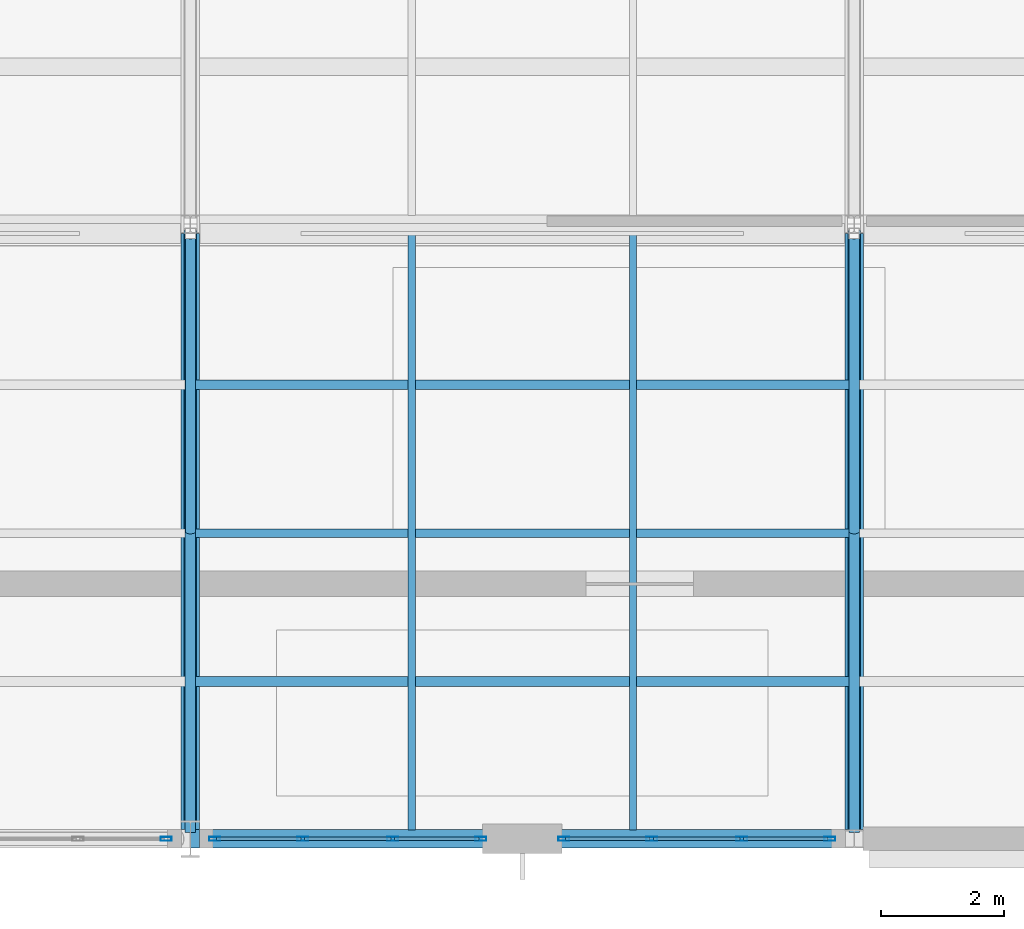
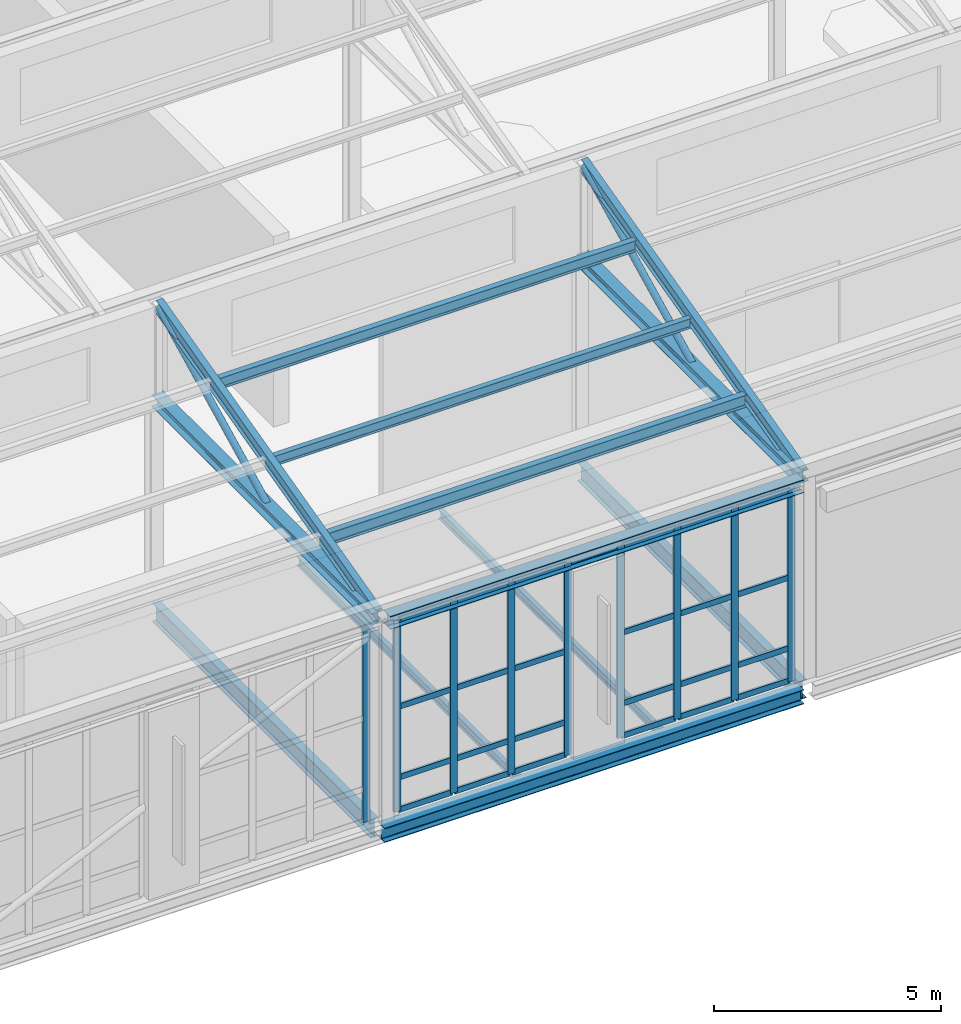
# One storey, part 15 of 49: 42 members, 6 beams, 3 elements without a shape of their own.
"""IFC4 building model written with IfcOpenShell, lengths in metres."""

from ifc_helpers import new_model, si_unit, direction, frame, origin, origin_2d, place, context, subcontext, project, spatial, hollow_rectangle, hollow_circle, i_section, extrude, material, layer, layer_set, material_profile, profile_set, type_object, element, aggregate, save


model = new_model("IFC4")

# Units and contexts
model_context = context("Model", 3, precision=1e-05, world=origin(), true_north=direction((0.0, 1.0)))
body_context = subcontext(model_context, "Body", "Model", "MODEL_VIEW")
ifc_project = project(units=[si_unit("LENGTHUNIT", "METRE"), si_unit("AREAUNIT", "SQUARE_METRE"), si_unit("VOLUMEUNIT", "CUBIC_METRE"), si_unit("PLANEANGLEUNIT", "RADIAN"), si_unit("MASSUNIT", "GRAM", prefix="KILO")], contexts=[model_context])

# Site, building, storey
site_placement = place(None, origin())
site = spatial("IfcSite", under=ifc_project, at=site_placement, CompositionType="ELEMENT")
building_placement = place(site_placement, origin())
building = spatial("IfcBuilding", under=site, at=building_placement, Name="Tasgan Crest Museum", CompositionType="ELEMENT")
storey_placement = place(building_placement, frame((0.0, 0.0, 28.800048828125)))
storey = spatial("IfcBuildingStorey", under=building, at=storey_placement, Name="L05", CompositionType="ELEMENT", Elevation=28.800048828125)

# Beams
ifc_material_1 = material(Name="Steel S355J2", Category="steel")
ifc_material_profile_1 = material_profile(ifc_material_1, i_section(OverallWidth=0.300048828125, OverallDepth=0.35009765625, WebThickness=0.009521484375, FlangeThickness=0.017578125, FilletRadius=0.027099609375, at=origin_2d()), Name="HEA 360")
ifc_profile_set_1 = profile_set([ifc_material_profile_1], Name="Steel S355J2")
beam_type_1 = type_object("IfcBeamType", Name="BM-G-HEA360", PredefinedType="BEAM", material=ifc_profile_set_1)
beam_1_placement = place(storey_placement, frame((32.550048828125, 82.0, 5.219970703125), z_axis=(1.0, 0.0, 0.0), x_axis=(0.0, 1.0, 0.0)))
element("IfcBeam", 1, at=beam_1_placement, inside=storey, type_object=beam_type_1, Name="Sawtooth valley girder B1 32.4-43.2", PredefinedType="BEAM", context=body_context, shape_type="SweptSolid", body=[
    extrude(i_section(OverallWidth=0.300048828125, OverallDepth=0.35009765625, WebThickness=0.009521484375, FlangeThickness=0.017578125, FilletRadius=0.027099609375, at=origin_2d()), origin(), (0.0, 0.0, 1.0), 10.5),
])
ifc_material_2 = material(Name="Steel S355J2", Category="steel")
ifc_material_profile_2 = material_profile(ifc_material_2, i_section(OverallWidth=0.300048828125, OverallDepth=0.389892578125, WebThickness=0.010986328125, FlangeThickness=0.01904296875, FilletRadius=0.027099609375, at=origin_2d()), Name="HEA 400")
ifc_profile_set_2 = profile_set([ifc_material_profile_2], Name="Steel S355J2")
beam_type_2 = type_object("IfcBeamType", Name="BM-G-HEA400", PredefinedType="BEAM", material=ifc_profile_set_2)
beam_2_placement = place(storey_placement, frame((32.40576171875, 82.0, -0.43505859375), z_axis=(1.0, 0.0, 0.0), x_axis=(0.0, 1.0, 0.0)))
element("IfcBeam", 2, at=beam_2_placement, inside=storey, type_object=beam_type_2, Name="Girder L05 J 32.4-43.2", PredefinedType="BEAM", context=body_context, shape_type="SweptSolid", body=[
    extrude(i_section(OverallWidth=0.300048828125, OverallDepth=0.389892578125, WebThickness=0.010986328125, FlangeThickness=0.01904296875, FilletRadius=0.027099609375, at=origin_2d()), origin(), (0.0, 0.0, 1.0), 10.648193359375),
])
ifc_material_3 = material(Name="Steel S355J2", Category="steel")
ifc_material_profile_3 = material_profile(ifc_material_3, i_section(OverallWidth=0.199951171875, OverallDepth=0.5, WebThickness=0.01025390625, FlangeThickness=0.01611328125, FilletRadius=0.02099609375, at=origin_2d()), Name="IPE 500")
ifc_profile_set_3 = profile_set([ifc_material_profile_3], Name="Steel S355J2")
beam_type_3 = type_object("IfcBeamType", Name="BM-G-IPE500", PredefinedType="BEAM", material=ifc_profile_set_3)
beam_3_placement = place(storey_placement, frame((32.39990234375, 82.294921875, -0.489990234375), z_axis=(0.0, 1.0, 0.0), x_axis=(-1.0, 0.0, 0.0)))
element("IfcBeam", 3, at=beam_3_placement, inside=storey, type_object=beam_type_3, Name="Beam L05 4 82.0-92.0", PredefinedType="BEAM", context=body_context, shape_type="SweptSolid", body=[
    extrude(i_section(OverallWidth=0.199951171875, OverallDepth=0.5, WebThickness=0.01025390625, FlangeThickness=0.01611328125, FilletRadius=0.02099609375, at=origin_2d()), origin(), (0.0, 0.0, 1.0), 9.60009765625),
])
beam_4_placement = place(storey_placement, frame((43.199951171875, 82.1650390625, -0.489990234375), z_axis=(0.0, 1.0, 0.0), x_axis=(-1.0, 0.0, 0.0)))
element("IfcBeam", 4, at=beam_4_placement, inside=storey, type_object=beam_type_3, Name="Beam L05 5 82.0-92.0", PredefinedType="BEAM", context=body_context, shape_type="SweptSolid", body=[
    extrude(i_section(OverallWidth=0.199951171875, OverallDepth=0.5, WebThickness=0.01025390625, FlangeThickness=0.01611328125, FilletRadius=0.02099609375, at=origin_2d()), origin(), (0.0, 0.0, 1.0), 9.72998046875),
])
ifc_material_4 = material(Name="Steel S355J2", Category="steel")
ifc_material_profile_4 = material_profile(ifc_material_4, i_section(OverallWidth=0.1201171875, OverallDepth=0.239990234375, WebThickness=0.006103515625, FlangeThickness=0.009765625, FilletRadius=0.014892578125, at=origin_2d()), Name="IPE 240")
ifc_profile_set_4 = profile_set([ifc_material_profile_4], Name="Steel S355J2")
beam_type_4 = type_object("IfcBeamType", Name="BM-J-IPE240", PredefinedType="JOIST", material=ifc_profile_set_4)
for number, where, z_axis, x_axis, name in (
    (5, (36.0, 82.14501953125, -0.360107421875), (0.0, 1.0, 0.0), (-1.0, 0.0, 0.0), "Secondary joist L05 X=36.0 Y=82.0-92.0"),
    (6, (39.60009765625, 82.14501953125, -0.360107421875), (0.0, 1.0, 0.0), (-1.0, 0.0, 0.0), "Secondary joist L05 X=39.6 Y=82.0-92.0"),
):
    element("IfcBeam", number, at=place(storey_placement, frame(where, z_axis=z_axis, x_axis=x_axis)), inside=storey, type_object=beam_type_4, Name=name, PredefinedType="JOIST", context=body_context, shape_type="SweptSolid", body=[
        extrude(i_section(OverallWidth=0.1201171875, OverallDepth=0.239990234375, WebThickness=0.006103515625, FlangeThickness=0.009765625, FilletRadius=0.014892578125, at=origin_2d()), origin(), (0.0, 0.0, 1.0), 9.7099609375),
    ])

# Curtain wall, member
ifc_material_5 = material(Name="Triple-Glazed Aluminium Curtain Wall", Category="aluminium")
ifc_layer = layer(ifc_material_5, 0.179931640625, Name="CW-GAL-X-54")
ifc_layer_set = layer_set([ifc_layer], Name="Triple-Glazed Aluminium Curtain Wall")
curtain_wall_type = type_object("IfcCurtainWallType", Name="CW-GAL-X-54", PredefinedType="NOTDEFINED", material=ifc_layer_set)
curtain_wall_1_placement = place(storey_placement, origin())
curtain_wall_1 = element("IfcCurtainWall", 7, at=curtain_wall_1_placement, inside=storey, type_object=curtain_wall_type, Name="Curtain wall L05 214", PredefinedType="NOTDEFINED")
ifc_material_6 = material(Name="Anodised Aluminium", Category="aluminium")
ifc_material_profile_5 = material_profile(ifc_material_6, hollow_rectangle(XDim=0.06494140625, YDim=0.179931640625, WallThickness=0.0048828125, at=origin_2d()), Name="ALU MULLION 180x65x5")
ifc_profile_set_5 = profile_set([ifc_material_profile_5], Name="Anodised Aluminium")
member_type_1 = type_object("IfcMemberType", Name="CW-MULLION-180", PredefinedType="MULLION", material=ifc_profile_set_5)
member_1_placement = place(storey_placement, frame((32.0048828125, 82.0, 0.0), z_axis=(0.0, 0.0, 1.0), x_axis=(0.0, 1.0, 0.0)))
member_1 = element("IfcMember", 8, at=member_1_placement, type_object=member_type_1, Name="CW15 mullion 4", PredefinedType="MULLION", context=body_context, shape_type="SweptSolid", body=[
    extrude(hollow_rectangle(XDim=0.06494140625, YDim=0.179931640625, WallThickness=0.0048828125, at=origin_2d()), origin(), (0.0, 0.0, 1.0), 5.159912109375),
])
aggregate(curtain_wall_1, [member_1])

# Curtain wall, members
curtain_wall_2_placement = place(storey_placement, origin())
curtain_wall_2 = element("IfcCurtainWall", 9, at=curtain_wall_2_placement, inside=storey, type_object=curtain_wall_type, Name="Curtain wall L05 215", PredefinedType="NOTDEFINED")
member_2_placement = place(storey_placement, frame((32.794921875, 82.0, 0.0), z_axis=(0.0, 0.0, 1.0), x_axis=(0.0, 1.0, 0.0)))
member_2 = element("IfcMember", 10, at=member_2_placement, type_object=member_type_1, Name="CW15 mullion 1", PredefinedType="MULLION", context=body_context, shape_type="SweptSolid", body=[
    extrude(hollow_rectangle(XDim=0.06494140625, YDim=0.179931640625, WallThickness=0.0048828125, at=origin_2d()), origin(), (0.0, 0.0, 1.0), 5.159912109375),
])
member_3_placement = place(storey_placement, frame((34.228271484375, 82.0, 0.0), z_axis=(0.0, 0.0, 1.0), x_axis=(0.0, 1.0, 0.0)))
member_3 = element("IfcMember", 11, at=member_3_placement, type_object=member_type_1, Name="CW15 mullion 2", PredefinedType="MULLION", context=body_context, shape_type="SweptSolid", body=[
    extrude(hollow_rectangle(XDim=0.06494140625, YDim=0.179931640625, WallThickness=0.0048828125, at=origin_2d()), origin(), (0.0, 0.0, 1.0), 5.159912109375),
])
member_4_placement = place(storey_placement, frame((35.691650390625, 82.0, 0.0), z_axis=(0.0, 0.0, 1.0), x_axis=(0.0, 1.0, 0.0)))
member_4 = element("IfcMember", 12, at=member_4_placement, type_object=member_type_1, Name="CW15 mullion 3", PredefinedType="MULLION", context=body_context, shape_type="SweptSolid", body=[
    extrude(hollow_rectangle(XDim=0.06494140625, YDim=0.179931640625, WallThickness=0.0048828125, at=origin_2d()), origin(), (0.0, 0.0, 1.0), 5.159912109375),
])
member_5_placement = place(storey_placement, frame((37.125, 82.0, 0.0), z_axis=(0.0, 0.0, 1.0), x_axis=(0.0, 1.0, 0.0)))
member_5 = element("IfcMember", 13, at=member_5_placement, type_object=member_type_1, Name="CW15 mullion 4", PredefinedType="MULLION", context=body_context, shape_type="SweptSolid", body=[
    extrude(hollow_rectangle(XDim=0.06494140625, YDim=0.179931640625, WallThickness=0.0048828125, at=origin_2d()), origin(), (0.0, 0.0, 1.0), 5.159912109375),
])

curtain_wall_3_placement = place(storey_placement, origin())
curtain_wall_3 = element("IfcCurtainWall", 14, at=curtain_wall_3_placement, inside=storey, type_object=curtain_wall_type, Name="Curtain wall L05 216", PredefinedType="NOTDEFINED")
member_6_placement = place(storey_placement, frame((38.47509765625, 82.0, 0.0), z_axis=(0.0, 0.0, 1.0), x_axis=(0.0, 1.0, 0.0)))
member_6 = element("IfcMember", 15, at=member_6_placement, type_object=member_type_1, Name="CW15 mullion 1", PredefinedType="MULLION", context=body_context, shape_type="SweptSolid", body=[
    extrude(hollow_rectangle(XDim=0.06494140625, YDim=0.179931640625, WallThickness=0.0048828125, at=origin_2d()), origin(), (0.0, 0.0, 1.0), 5.159912109375),
])
member_7_placement = place(storey_placement, frame((39.908447265625, 82.0, 0.0), z_axis=(0.0, 0.0, 1.0), x_axis=(0.0, 1.0, 0.0)))
member_7 = element("IfcMember", 16, at=member_7_placement, type_object=member_type_1, Name="CW15 mullion 2", PredefinedType="MULLION", context=body_context, shape_type="SweptSolid", body=[
    extrude(hollow_rectangle(XDim=0.06494140625, YDim=0.179931640625, WallThickness=0.0048828125, at=origin_2d()), origin(), (0.0, 0.0, 1.0), 5.159912109375),
])
member_8_placement = place(storey_placement, frame((41.37158203125, 82.0, 0.0), z_axis=(0.0, 0.0, 1.0), x_axis=(0.0, 1.0, 0.0)))
member_8 = element("IfcMember", 17, at=member_8_placement, type_object=member_type_1, Name="CW15 mullion 3", PredefinedType="MULLION", context=body_context, shape_type="SweptSolid", body=[
    extrude(hollow_rectangle(XDim=0.06494140625, YDim=0.179931640625, WallThickness=0.0048828125, at=origin_2d()), origin(), (0.0, 0.0, 1.0), 5.159912109375),
])
member_9_placement = place(storey_placement, frame((42.804931640625, 82.0, 0.0), z_axis=(0.0, 0.0, 1.0), x_axis=(0.0, 1.0, 0.0)))
member_9 = element("IfcMember", 18, at=member_9_placement, type_object=member_type_1, Name="CW15 mullion 4", PredefinedType="MULLION", context=body_context, shape_type="SweptSolid", body=[
    extrude(hollow_rectangle(XDim=0.06494140625, YDim=0.179931640625, WallThickness=0.0048828125, at=origin_2d()), origin(), (0.0, 0.0, 1.0), 5.159912109375),
])

# Member
ifc_material_7 = material(Name="Anodised Aluminium", Category="aluminium")
ifc_material_profile_6 = material_profile(ifc_material_7, hollow_rectangle(XDim=0.06005859375, YDim=0.14990234375, WallThickness=0.0048828125, at=origin_2d()), Name="ALU TRANSOM 150x60x5")
ifc_profile_set_6 = profile_set([ifc_material_profile_6], Name="Anodised Aluminium")
member_type_2 = type_object("IfcMemberType", Name="CW-TRANSOM-150", PredefinedType="USERDEFINED", material=ifc_profile_set_6)
member_10_placement = place(storey_placement, frame((32.824951171875, 82.0, 0.030029296875), z_axis=(1.0, 0.0, 0.0), x_axis=(0.0, 1.0, 0.0)))
member_10 = element("IfcMember", 19, at=member_10_placement, type_object=member_type_2, Name="CW15 transom 1.1", ObjectType="TRANSOM", PredefinedType="USERDEFINED", context=body_context, shape_type="SweptSolid", body=[
    extrude(hollow_rectangle(XDim=0.06005859375, YDim=0.14990234375, WallThickness=0.0048828125, at=origin_2d()), origin(), (0.0, 0.0, 1.0), 1.373291015625),
])

member_11_placement = place(storey_placement, frame((32.824951171875, 82.0, 0.89990234375), z_axis=(1.0, 0.0, 0.0), x_axis=(0.0, 1.0, 0.0)))
member_11 = element("IfcMember", 20, at=member_11_placement, type_object=member_type_2, Name="CW15 transom 1.2", ObjectType="TRANSOM", PredefinedType="USERDEFINED", context=body_context, shape_type="SweptSolid", body=[
    extrude(hollow_rectangle(XDim=0.06005859375, YDim=0.14990234375, WallThickness=0.0048828125, at=origin_2d()), origin(), (0.0, 0.0, 1.0), 1.373291015625),
])

member_12_placement = place(storey_placement, frame((32.824951171875, 82.0, 2.800048828125), z_axis=(1.0, 0.0, 0.0), x_axis=(0.0, 1.0, 0.0)))
member_12 = element("IfcMember", 21, at=member_12_placement, type_object=member_type_2, Name="CW15 transom 1.3", ObjectType="TRANSOM", PredefinedType="USERDEFINED", context=body_context, shape_type="SweptSolid", body=[
    extrude(hollow_rectangle(XDim=0.06005859375, YDim=0.14990234375, WallThickness=0.0048828125, at=origin_2d()), origin(), (0.0, 0.0, 1.0), 1.373291015625),
])

member_13_placement = place(storey_placement, frame((32.824951171875, 82.0, 5.1298828125), z_axis=(1.0, 0.0, 0.0), x_axis=(0.0, 1.0, 0.0)))
member_13 = element("IfcMember", 22, at=member_13_placement, type_object=member_type_2, Name="CW15 transom 1.4", ObjectType="TRANSOM", PredefinedType="USERDEFINED", context=body_context, shape_type="SweptSolid", body=[
    extrude(hollow_rectangle(XDim=0.06005859375, YDim=0.14990234375, WallThickness=0.0048828125, at=origin_2d()), origin(), (0.0, 0.0, 1.0), 1.373291015625),
])

member_14_placement = place(storey_placement, frame((34.25830078125, 82.0, 0.030029296875), z_axis=(1.0, 0.0, 0.0), x_axis=(0.0, 1.0, 0.0)))
member_14 = element("IfcMember", 23, at=member_14_placement, type_object=member_type_2, Name="CW15 transom 2.1", ObjectType="TRANSOM", PredefinedType="USERDEFINED", context=body_context, shape_type="SweptSolid", body=[
    extrude(hollow_rectangle(XDim=0.06005859375, YDim=0.14990234375, WallThickness=0.0048828125, at=origin_2d()), origin(), (0.0, 0.0, 1.0), 1.4033203125),
])

member_15_placement = place(storey_placement, frame((34.25830078125, 82.0, 0.89990234375), z_axis=(1.0, 0.0, 0.0), x_axis=(0.0, 1.0, 0.0)))
member_15 = element("IfcMember", 24, at=member_15_placement, type_object=member_type_2, Name="CW15 transom 2.2", ObjectType="TRANSOM", PredefinedType="USERDEFINED", context=body_context, shape_type="SweptSolid", body=[
    extrude(hollow_rectangle(XDim=0.06005859375, YDim=0.14990234375, WallThickness=0.0048828125, at=origin_2d()), origin(), (0.0, 0.0, 1.0), 1.4033203125),
])

member_16_placement = place(storey_placement, frame((34.25830078125, 82.0, 2.800048828125), z_axis=(1.0, 0.0, 0.0), x_axis=(0.0, 1.0, 0.0)))
member_16 = element("IfcMember", 25, at=member_16_placement, type_object=member_type_2, Name="CW15 transom 2.3", ObjectType="TRANSOM", PredefinedType="USERDEFINED", context=body_context, shape_type="SweptSolid", body=[
    extrude(hollow_rectangle(XDim=0.06005859375, YDim=0.14990234375, WallThickness=0.0048828125, at=origin_2d()), origin(), (0.0, 0.0, 1.0), 1.4033203125),
])

member_17_placement = place(storey_placement, frame((34.25830078125, 82.0, 5.1298828125), z_axis=(1.0, 0.0, 0.0), x_axis=(0.0, 1.0, 0.0)))
member_17 = element("IfcMember", 26, at=member_17_placement, type_object=member_type_2, Name="CW15 transom 2.4", ObjectType="TRANSOM", PredefinedType="USERDEFINED", context=body_context, shape_type="SweptSolid", body=[
    extrude(hollow_rectangle(XDim=0.06005859375, YDim=0.14990234375, WallThickness=0.0048828125, at=origin_2d()), origin(), (0.0, 0.0, 1.0), 1.4033203125),
])

member_18_placement = place(storey_placement, frame((35.7216796875, 82.0, 0.030029296875), z_axis=(1.0, 0.0, 0.0), x_axis=(0.0, 1.0, 0.0)))
member_18 = element("IfcMember", 27, at=member_18_placement, type_object=member_type_2, Name="CW15 transom 3.1", ObjectType="TRANSOM", PredefinedType="USERDEFINED", context=body_context, shape_type="SweptSolid", body=[
    extrude(hollow_rectangle(XDim=0.06005859375, YDim=0.14990234375, WallThickness=0.0048828125, at=origin_2d()), origin(), (0.0, 0.0, 1.0), 1.373291015625),
])

member_19_placement = place(storey_placement, frame((35.7216796875, 82.0, 0.89990234375), z_axis=(1.0, 0.0, 0.0), x_axis=(0.0, 1.0, 0.0)))
member_19 = element("IfcMember", 28, at=member_19_placement, type_object=member_type_2, Name="CW15 transom 3.2", ObjectType="TRANSOM", PredefinedType="USERDEFINED", context=body_context, shape_type="SweptSolid", body=[
    extrude(hollow_rectangle(XDim=0.06005859375, YDim=0.14990234375, WallThickness=0.0048828125, at=origin_2d()), origin(), (0.0, 0.0, 1.0), 1.373291015625),
])

member_20_placement = place(storey_placement, frame((35.7216796875, 82.0, 2.800048828125), z_axis=(1.0, 0.0, 0.0), x_axis=(0.0, 1.0, 0.0)))
member_20 = element("IfcMember", 29, at=member_20_placement, type_object=member_type_2, Name="CW15 transom 3.3", ObjectType="TRANSOM", PredefinedType="USERDEFINED", context=body_context, shape_type="SweptSolid", body=[
    extrude(hollow_rectangle(XDim=0.06005859375, YDim=0.14990234375, WallThickness=0.0048828125, at=origin_2d()), origin(), (0.0, 0.0, 1.0), 1.373291015625),
])

member_21_placement = place(storey_placement, frame((35.7216796875, 82.0, 5.1298828125), z_axis=(1.0, 0.0, 0.0), x_axis=(0.0, 1.0, 0.0)))
member_21 = element("IfcMember", 30, at=member_21_placement, type_object=member_type_2, Name="CW15 transom 3.4", ObjectType="TRANSOM", PredefinedType="USERDEFINED", context=body_context, shape_type="SweptSolid", body=[
    extrude(hollow_rectangle(XDim=0.06005859375, YDim=0.14990234375, WallThickness=0.0048828125, at=origin_2d()), origin(), (0.0, 0.0, 1.0), 1.373291015625),
])

aggregate(curtain_wall_2, [member_2, member_3, member_4, member_5, member_10, member_11, member_12, member_13, member_14, member_15, member_16, member_17, member_18, member_19, member_20, member_21])

member_22_placement = place(storey_placement, frame((38.5048828125, 82.0, 0.030029296875), z_axis=(1.0, 0.0, 0.0), x_axis=(0.0, 1.0, 0.0)))
member_22 = element("IfcMember", 31, at=member_22_placement, type_object=member_type_2, Name="CW15 transom 1.1", ObjectType="TRANSOM", PredefinedType="USERDEFINED", context=body_context, shape_type="SweptSolid", body=[
    extrude(hollow_rectangle(XDim=0.06005859375, YDim=0.14990234375, WallThickness=0.0048828125, at=origin_2d()), origin(), (0.0, 0.0, 1.0), 1.37353515625),
])

member_23_placement = place(storey_placement, frame((38.5048828125, 82.0, 0.89990234375), z_axis=(1.0, 0.0, 0.0), x_axis=(0.0, 1.0, 0.0)))
member_23 = element("IfcMember", 32, at=member_23_placement, type_object=member_type_2, Name="CW15 transom 1.2", ObjectType="TRANSOM", PredefinedType="USERDEFINED", context=body_context, shape_type="SweptSolid", body=[
    extrude(hollow_rectangle(XDim=0.06005859375, YDim=0.14990234375, WallThickness=0.0048828125, at=origin_2d()), origin(), (0.0, 0.0, 1.0), 1.37353515625),
])

member_24_placement = place(storey_placement, frame((38.5048828125, 82.0, 2.800048828125), z_axis=(1.0, 0.0, 0.0), x_axis=(0.0, 1.0, 0.0)))
member_24 = element("IfcMember", 33, at=member_24_placement, type_object=member_type_2, Name="CW15 transom 1.3", ObjectType="TRANSOM", PredefinedType="USERDEFINED", context=body_context, shape_type="SweptSolid", body=[
    extrude(hollow_rectangle(XDim=0.06005859375, YDim=0.14990234375, WallThickness=0.0048828125, at=origin_2d()), origin(), (0.0, 0.0, 1.0), 1.37353515625),
])

member_25_placement = place(storey_placement, frame((38.5048828125, 82.0, 5.1298828125), z_axis=(1.0, 0.0, 0.0), x_axis=(0.0, 1.0, 0.0)))
member_25 = element("IfcMember", 34, at=member_25_placement, type_object=member_type_2, Name="CW15 transom 1.4", ObjectType="TRANSOM", PredefinedType="USERDEFINED", context=body_context, shape_type="SweptSolid", body=[
    extrude(hollow_rectangle(XDim=0.06005859375, YDim=0.14990234375, WallThickness=0.0048828125, at=origin_2d()), origin(), (0.0, 0.0, 1.0), 1.37353515625),
])

member_26_placement = place(storey_placement, frame((39.938232421875, 82.0, 0.030029296875), z_axis=(1.0, 0.0, 0.0), x_axis=(0.0, 1.0, 0.0)))
member_26 = element("IfcMember", 35, at=member_26_placement, type_object=member_type_2, Name="CW15 transom 2.1", ObjectType="TRANSOM", PredefinedType="USERDEFINED", context=body_context, shape_type="SweptSolid", body=[
    extrude(hollow_rectangle(XDim=0.06005859375, YDim=0.14990234375, WallThickness=0.0048828125, at=origin_2d()), origin(), (0.0, 0.0, 1.0), 1.4033203125),
])

member_27_placement = place(storey_placement, frame((39.938232421875, 82.0, 0.89990234375), z_axis=(1.0, 0.0, 0.0), x_axis=(0.0, 1.0, 0.0)))
member_27 = element("IfcMember", 36, at=member_27_placement, type_object=member_type_2, Name="CW15 transom 2.2", ObjectType="TRANSOM", PredefinedType="USERDEFINED", context=body_context, shape_type="SweptSolid", body=[
    extrude(hollow_rectangle(XDim=0.06005859375, YDim=0.14990234375, WallThickness=0.0048828125, at=origin_2d()), origin(), (0.0, 0.0, 1.0), 1.4033203125),
])

member_28_placement = place(storey_placement, frame((39.938232421875, 82.0, 2.800048828125), z_axis=(1.0, 0.0, 0.0), x_axis=(0.0, 1.0, 0.0)))
member_28 = element("IfcMember", 37, at=member_28_placement, type_object=member_type_2, Name="CW15 transom 2.3", ObjectType="TRANSOM", PredefinedType="USERDEFINED", context=body_context, shape_type="SweptSolid", body=[
    extrude(hollow_rectangle(XDim=0.06005859375, YDim=0.14990234375, WallThickness=0.0048828125, at=origin_2d()), origin(), (0.0, 0.0, 1.0), 1.4033203125),
])

member_29_placement = place(storey_placement, frame((39.938232421875, 82.0, 5.1298828125), z_axis=(1.0, 0.0, 0.0), x_axis=(0.0, 1.0, 0.0)))
member_29 = element("IfcMember", 38, at=member_29_placement, type_object=member_type_2, Name="CW15 transom 2.4", ObjectType="TRANSOM", PredefinedType="USERDEFINED", context=body_context, shape_type="SweptSolid", body=[
    extrude(hollow_rectangle(XDim=0.06005859375, YDim=0.14990234375, WallThickness=0.0048828125, at=origin_2d()), origin(), (0.0, 0.0, 1.0), 1.4033203125),
])

member_30_placement = place(storey_placement, frame((41.401611328125, 82.0, 0.030029296875), z_axis=(1.0, 0.0, 0.0), x_axis=(0.0, 1.0, 0.0)))
member_30 = element("IfcMember", 39, at=member_30_placement, type_object=member_type_2, Name="CW15 transom 3.1", ObjectType="TRANSOM", PredefinedType="USERDEFINED", context=body_context, shape_type="SweptSolid", body=[
    extrude(hollow_rectangle(XDim=0.06005859375, YDim=0.14990234375, WallThickness=0.0048828125, at=origin_2d()), origin(), (0.0, 0.0, 1.0), 1.373291015625),
])

member_31_placement = place(storey_placement, frame((41.401611328125, 82.0, 0.89990234375), z_axis=(1.0, 0.0, 0.0), x_axis=(0.0, 1.0, 0.0)))
member_31 = element("IfcMember", 40, at=member_31_placement, type_object=member_type_2, Name="CW15 transom 3.2", ObjectType="TRANSOM", PredefinedType="USERDEFINED", context=body_context, shape_type="SweptSolid", body=[
    extrude(hollow_rectangle(XDim=0.06005859375, YDim=0.14990234375, WallThickness=0.0048828125, at=origin_2d()), origin(), (0.0, 0.0, 1.0), 1.373291015625),
])

member_32_placement = place(storey_placement, frame((41.401611328125, 82.0, 2.800048828125), z_axis=(1.0, 0.0, 0.0), x_axis=(0.0, 1.0, 0.0)))
member_32 = element("IfcMember", 41, at=member_32_placement, type_object=member_type_2, Name="CW15 transom 3.3", ObjectType="TRANSOM", PredefinedType="USERDEFINED", context=body_context, shape_type="SweptSolid", body=[
    extrude(hollow_rectangle(XDim=0.06005859375, YDim=0.14990234375, WallThickness=0.0048828125, at=origin_2d()), origin(), (0.0, 0.0, 1.0), 1.373291015625),
])

member_33_placement = place(storey_placement, frame((41.401611328125, 82.0, 5.1298828125), z_axis=(1.0, 0.0, 0.0), x_axis=(0.0, 1.0, 0.0)))
member_33 = element("IfcMember", 42, at=member_33_placement, type_object=member_type_2, Name="CW15 transom 3.4", ObjectType="TRANSOM", PredefinedType="USERDEFINED", context=body_context, shape_type="SweptSolid", body=[
    extrude(hollow_rectangle(XDim=0.06005859375, YDim=0.14990234375, WallThickness=0.0048828125, at=origin_2d()), origin(), (0.0, 0.0, 1.0), 1.373291015625),
])

aggregate(curtain_wall_3, [member_6, member_7, member_8, member_9, member_22, member_23, member_24, member_25, member_26, member_27, member_28, member_29, member_30, member_31, member_32, member_33])

# Members
ifc_material_8 = material(Name="Steel S355J2", Category="steel")
ifc_material_profile_7 = material_profile(ifc_material_8, i_section(OverallWidth=0.14990234375, OverallDepth=0.300048828125, WebThickness=0.007080078125, FlangeThickness=0.0107421875, FilletRadius=0.014892578125, at=origin_2d()), Name="IPE 300")
ifc_profile_set_7 = profile_set([ifc_material_profile_7], Name="Steel S355J2")
member_type_3 = type_object("IfcMemberType", Name="MEM-PUR-IPE300", PredefinedType="PURLIN", material=ifc_profile_set_7)
member_34_placement = place(storey_placement, frame((32.485107421875, 89.387451171875, 7.1298828125), z_axis=(1.0, 0.0, 0.0), x_axis=(0.0, 1.0, 0.0)))
element("IfcMember", 43, at=member_34_placement, inside=storey, type_object=member_type_3, Name="Sawtooth roof purlin B1 32.4-43.2 P3", PredefinedType="PURLIN", context=body_context, shape_type="SweptSolid", body=[
    extrude(i_section(OverallWidth=0.14990234375, OverallDepth=0.300048828125, WebThickness=0.007080078125, FlangeThickness=0.0107421875, FilletRadius=0.014892578125, at=origin_2d()), origin(), (0.0, 0.0, 1.0), 10.6298828125),
])
ifc_material_9 = material(Name="Steel S355J2", Category="steel")
ifc_material_profile_8 = material_profile(ifc_material_9, i_section(OverallWidth=0.159912109375, OverallDepth=0.330078125, WebThickness=0.007568359375, FlangeThickness=0.011474609375, FilletRadius=0.01806640625, at=origin_2d()), Name="IPE 330")
ifc_profile_set_8 = profile_set([ifc_material_profile_8], Name="Steel S355J2")
member_type_4 = type_object("IfcMemberType", Name="MEM-PUR-IPE330", PredefinedType="PURLIN", material=ifc_profile_set_8)
member_35_placement = place(storey_placement, frame((32.485107421875, 84.5625, 5.889892578125), z_axis=(1.0, 0.0, 0.0), x_axis=(0.0, 1.0, 0.0)))
element("IfcMember", 44, at=member_35_placement, inside=storey, type_object=member_type_4, Name="Sawtooth roof purlin B1 32.4-43.2 P1", PredefinedType="PURLIN", context=body_context, shape_type="SweptSolid", body=[
    extrude(i_section(OverallWidth=0.159912109375, OverallDepth=0.330078125, WebThickness=0.007568359375, FlangeThickness=0.011474609375, FilletRadius=0.01806640625, at=origin_2d()), origin(), (0.0, 0.0, 1.0), 10.6298828125),
])
ifc_material_10 = material(Name="Steel S355J2", Category="steel")
ifc_material_profile_9 = material_profile(ifc_material_10, i_section(OverallWidth=0.135009765625, OverallDepth=0.27001953125, WebThickness=0.006591796875, FlangeThickness=0.01025390625, FilletRadius=0.014892578125, at=origin_2d()), Name="IPE 270")
ifc_profile_set_9 = profile_set([ifc_material_profile_9], Name="Steel S355J2")
member_type_5 = type_object("IfcMemberType", Name="MEM-PURLIN-270", PredefinedType="PURLIN", material=ifc_profile_set_9)
member_36_placement = place(storey_placement, frame((32.485107421875, 86.97509765625, 6.510009765625), z_axis=(1.0, 0.0, 0.0), x_axis=(0.0, 1.0, 0.0)))
element("IfcMember", 45, at=member_36_placement, inside=storey, type_object=member_type_5, Name="Sawtooth roof purlin B1 32.4-43.2 P2", PredefinedType="PURLIN", context=body_context, shape_type="SweptSolid", body=[
    extrude(i_section(OverallWidth=0.135009765625, OverallDepth=0.27001953125, WebThickness=0.006591796875, FlangeThickness=0.01025390625, FilletRadius=0.014892578125, at=origin_2d()), origin(), (0.0, 0.0, 1.0), 10.6298828125),
])
ifc_material_11 = material(Name="Steel S355K2", Category="steel")
ifc_material_profile_10 = material_profile(ifc_material_11, i_section(OverallWidth=0.300048828125, OverallDepth=0.31005859375, WebThickness=0.009033203125, FlangeThickness=0.015380859375, FilletRadius=0.027099609375, at=origin_2d()), Name="HEA 320")
ifc_profile_set_10 = profile_set([ifc_material_profile_10], Name="Steel S355K2")
member_type_6 = type_object("IfcMemberType", Name="TR-SAW-CHORD", PredefinedType="CHORD", material=ifc_profile_set_10)
for number, where, z_axis, x_axis, name in (
    (46, (32.39990234375, 82.14990234375, 5.239990234375), (0.0, 1.0, 0.0), (-1.0, 0.0, 0.0), "Roof truss bottom chord B1 4"),
    (47, (43.199951171875, 82.14990234375, 5.239990234375), (0.0, 1.0, 0.0), (-1.0, 0.0, 0.0), "Roof truss bottom chord B1 5"),
):
    element("IfcMember", number, at=place(storey_placement, frame(where, z_axis=z_axis, x_axis=x_axis)), inside=storey, type_object=member_type_6, Name=name, PredefinedType="CHORD", context=body_context, shape_type="SweptSolid", body=[
        extrude(i_section(OverallWidth=0.300048828125, OverallDepth=0.31005859375, WebThickness=0.009033203125, FlangeThickness=0.015380859375, FilletRadius=0.027099609375, at=origin_2d()), origin(), (0.0, 0.0, 1.0), 9.7001953125),
    ])
ifc_material_12 = material(Name="Steel S355K2", Category="steel")
ifc_material_profile_11 = material_profile(ifc_material_12, hollow_circle(Radius=0.084228515625, WallThickness=0.008056640625, at=origin_2d()), Name="CHS 168.3x8")
ifc_profile_set_11 = profile_set([ifc_material_profile_11], Name="Steel S355K2")
member_type_7 = type_object("IfcMemberType", Name="TR-SAW-DIAG", PredefinedType="BRACE", material=ifc_profile_set_11)
for number, where, z_axis, x_axis, name in (
    (48, (32.39990234375, 87.0, 5.349853515625), (0.0, 0.894418092416, 0.447231792205), (-1.0, 0.0, 0.0), "Roof truss diagonal B1 4"),
    (49, (43.199951171875, 87.0, 5.349853515625), (0.0, 0.894418092416, 0.447231792205), (-1.0, 0.0, 0.0), "Roof truss diagonal B1 5"),
):
    element("IfcMember", number, at=place(storey_placement, frame(where, z_axis=z_axis, x_axis=x_axis)), inside=storey, type_object=member_type_7, Name=name, PredefinedType="BRACE", context=body_context, shape_type="SweptSolid", body=[
        extrude(hollow_circle(Radius=0.084228515625, WallThickness=0.008056640625, at=origin_2d()), origin(), (0.0, 0.0, 1.0), 5.36669921875),
    ])
ifc_material_13 = material(Name="Steel S355K2", Category="steel")
ifc_material_profile_12 = material_profile(ifc_material_13, i_section(OverallWidth=0.169921875, OverallDepth=0.360107421875, WebThickness=0.008056640625, FlangeThickness=0.0126953125, FilletRadius=0.01806640625, at=origin_2d()), Name="IPE 360")
ifc_profile_set_12 = profile_set([ifc_material_profile_12], Name="Steel S355K2")
member_type_8 = type_object("IfcMemberType", Name="TR-SAW-RAFTER", PredefinedType="RAFTER", material=ifc_profile_set_12)
for number, where, z_axis, x_axis, name in (
    (50, (32.39990234375, 82.14990234375, 5.320068359375), (0.0, 0.968528888954, 0.248901167657), (-1.0, 0.0, 0.0), "Roof truss rafter B1 4"),
    (51, (43.199951171875, 82.14990234375, 5.320068359375), (0.0, 0.968528888954, 0.248901167657), (-1.0, 0.0, 0.0), "Roof truss rafter B1 5"),
):
    element("IfcMember", number, at=place(storey_placement, frame(where, z_axis=z_axis, x_axis=x_axis)), inside=storey, type_object=member_type_8, Name=name, PredefinedType="RAFTER", context=body_context, shape_type="SweptSolid", body=[
        extrude(i_section(OverallWidth=0.169921875, OverallDepth=0.360107421875, WebThickness=0.008056640625, FlangeThickness=0.0126953125, FilletRadius=0.01806640625, at=origin_2d()), origin(), (0.0, 0.0, 1.0), 9.963623046875),
    ])

save(model, "model.ifc")
